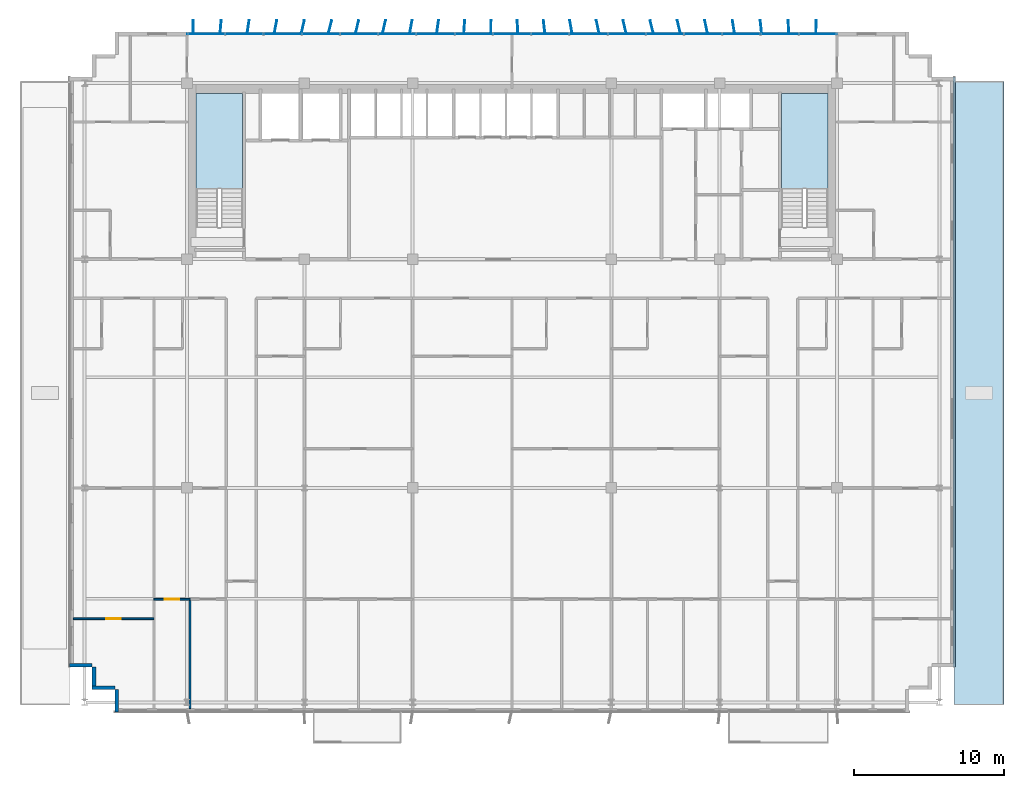
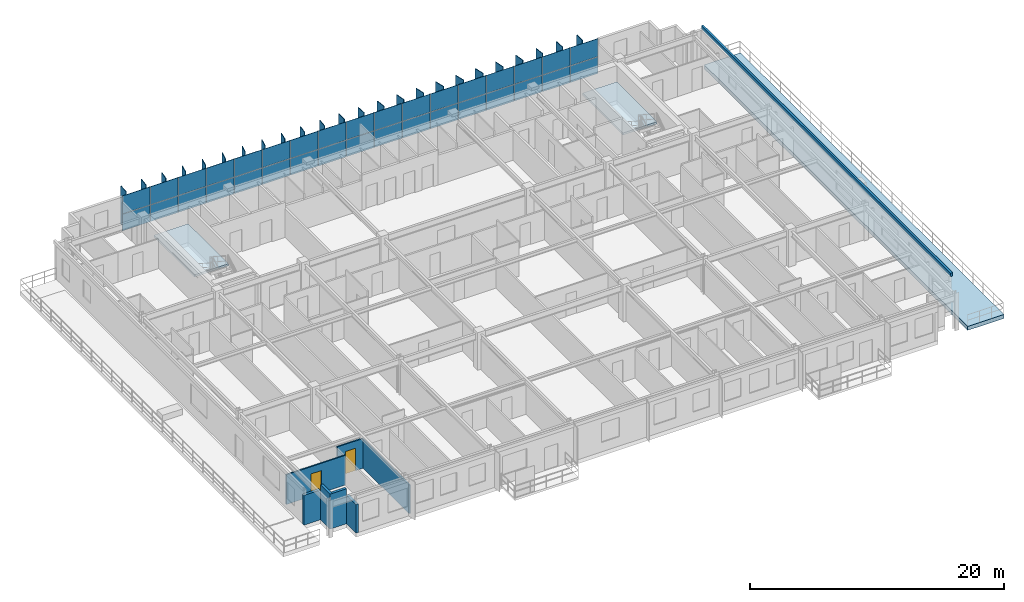
# One storey, part 13 of 22: 59 plates, 7 walls, 3 slabs, 2 doors, 2 openings, 3 elements without a shape of their own.
"""IFC4 building model written with IfcOpenShell, lengths in metres."""

from ifc_helpers import new_model, si_unit, direction, frame, frame_2d, origin, origin_2d, place, context, subcontext, project, spatial, polyline, rectangle, outline, extrude, source, transform, mapped, material, layer, layer_set, type_object, element, fill, aggregate, save


model = new_model("IFC4")

# Units and contexts
model_context = context("Model", 3, precision=1e-05, world=origin(), true_north=direction((0.0, 1.0)))
body_context = subcontext(model_context, "Body", "Model", "MODEL_VIEW")
ifc_project = project(units=[si_unit("LENGTHUNIT", "METRE"), si_unit("AREAUNIT", "SQUARE_METRE"), si_unit("VOLUMEUNIT", "CUBIC_METRE"), si_unit("PLANEANGLEUNIT", "RADIAN"), si_unit("MASSUNIT", "GRAM", prefix="KILO")], contexts=[model_context])

# Site, building, storey
site_placement = place(None, origin())
site = spatial("IfcSite", under=ifc_project, at=site_placement, CompositionType="ELEMENT")
building_placement = place(site_placement, origin())
building = spatial("IfcBuilding", under=site, at=building_placement, Name="Trelvane Seafront Commons", CompositionType="ELEMENT")
storey_placement = place(building_placement, frame((0.0, 0.0, 132.10009765625)))
storey = spatial("IfcBuildingStorey", under=building, at=storey_placement, Name="L34", CompositionType="ELEMENT", Elevation=132.10009765625)

# Stair, slab
ifc_material_1 = material(Name="Concrete C40/50", Category="concrete")
stair_type_1 = type_object("IfcStairType", Name="ARCH-STR-ST-1-R20-180", PredefinedType="HALF_TURN_STAIR", material=ifc_material_1)
stair_1_placement = place(storey_placement, origin())
stair_1 = element("IfcStair", 1, at=stair_1_placement, inside=storey, type_object=stair_type_1, Name="L34 West Protected Firefighting Exit Stair ST-1", PredefinedType="HALF_TURN_STAIR")
ifc_layer_1 = layer(ifc_material_1, 0.199951171875, Name="ARCH-LND-200")
ifc_layer_set_1 = layer_set([ifc_layer_1], Name="Concrete C40/50")
slab_type_1 = type_object("IfcSlabType", Name="ARCH-LND-200", PredefinedType="LANDING", material=ifc_layer_set_1)
slab_1_placement = place(storey_placement, frame((0.0, 0.0, 1.599853515625)))
slab_1 = element("IfcSlab", 2, at=slab_1_placement, type_object=slab_type_1, Name="ST-1 landing 1", PredefinedType="LANDING", context=body_context, shape_type="SweptSolid", body=[
    extrude(outline(polyline([(19.300048828125, 38.070068359375), (19.300048828125, 44.39990234375), (16.199951171875, 44.39990234375), (16.199951171875, 38.070068359375), (19.300048828125, 38.070068359375)])), origin(), (0.0, 0.0, 1.0), 0.199951171875),
])
aggregate(stair_1, [slab_1])

stair_type_2 = type_object("IfcStairType", Name="ARCH-STR-ST-2-R20-180", PredefinedType="HALF_TURN_STAIR", material=ifc_material_1)
stair_2_placement = place(storey_placement, origin())
stair_2 = element("IfcStair", 3, at=stair_2_placement, inside=storey, type_object=stair_type_2, Name="L34 East Protected Firefighting Exit Stair ST-2", PredefinedType="HALF_TURN_STAIR")
slab_2_placement = place(storey_placement, frame((0.0, 0.0, 1.599853515625)))
slab_2 = element("IfcSlab", 4, at=slab_2_placement, type_object=slab_type_1, Name="ST-2 landing 1", PredefinedType="LANDING", context=body_context, shape_type="SweptSolid", body=[
    extrude(outline(polyline([(58.199951171875, 38.070068359375), (58.199951171875, 44.39990234375), (55.10009765625, 44.39990234375), (55.10009765625, 38.070068359375), (58.199951171875, 38.070068359375)])), origin(), (0.0, 0.0, 1.0), 0.199951171875),
])
aggregate(stair_2, [slab_2])

# Slab
ifc_material_2 = material(Name="Concrete C60/75", Category="concrete")
ifc_layer_2 = layer(ifc_material_2, 0.3798828125, Name="STR-SLB-T380")
ifc_layer_set_2 = layer_set([ifc_layer_2], Name="Concrete C60/75")
slab_type_2 = type_object("IfcSlabType", Name="STR-SLB-T380", PredefinedType="FLOOR", material=ifc_layer_set_2)
slab_3_placement = place(storey_placement, frame((0.0, 0.0, -0.380126953125)))
element("IfcSlab", 5, at=slab_3_placement, inside=storey, type_object=slab_type_2, Name="L34 Mid-Tower Setback Sky Terrace E", PredefinedType="FLOOR", context=body_context, shape_type="SweptSolid", body=[
    extrude(outline(polyline([(66.60009765625, 3.800048828125), (69.89990234375, 3.800048828125), (69.89990234375, 45.199951171875), (66.60009765625, 45.199951171875), (66.60009765625, 3.800048828125)])), origin(), (0.0, 0.0, 1.0), 0.380126953125),
])

# Plates
ifc_material_3 = material(Name="Anodised pale-silver aluminium", Category="aluminium")
ifc_layer_3 = layer(ifc_material_3, 0.06005859375, Name="ARCH-PLATE-FIN900")
ifc_layer_set_3 = layer_set([ifc_layer_3], Name="Anodised pale-silver aluminium")
plate_type_1 = type_object("IfcPlateType", Name="ARCH-PLATE-FIN900", PredefinedType="USERDEFINED", material=ifc_layer_set_3)
shared_shape_1 = source(origin(), body_context, "Body", "SweptSolid", [
    extrude(rectangle(XDim=0.89990234375, YDim=0.06005859375, at=origin_2d()), origin(), (0.0, 0.0, 1.0), 3.639892578125),
])
for number, where, z_axis, x_axis, name in (
    (6, (16.010498046875, 48.849853515625, -0.02001953125), (0.0, 0.0, 1.0), (0.023667945073, 0.999719874953, 0.0), "FIN-L34-00906"),
    (7, (17.839599609375, 48.848388671875, -0.02001953125), (0.0, 0.0, 1.0), (0.088221508252, 0.996100881177, 0.0), "FIN-L34-00907"),
    (8, (19.665771484375, 48.84521484375, -0.02001953125), (0.0, 0.0, 1.0), (0.145993244452, 0.989285586964, 0.0), "FIN-L34-00908"),
    (9, (21.48681640625, 48.841552734375, -0.02001953125), (0.0, 0.0, 1.0), (0.192674392615, 0.981262746888, 0.0), "FIN-L34-00909"),
    (10, (25.108154296875, 48.8369140625, -0.02001953125), (0.0, 0.0, 1.0), (0.240548236957, 0.970637185408, 0.0), "FIN-L34-00911"),
    (11, (26.907470703125, 48.8369140625, -0.02001953125), (0.0, 0.0, 1.0), (0.238663966502, 0.971102214545, 0.0), "FIN-L34-00912"),
    (12, (28.69873046875, 48.839111328125, -0.02001953125), (0.0, 0.0, 1.0), (0.219435851334, 0.975626930312, 0.0), "FIN-L34-00913"),
    (13, (30.48291015625, 48.84228515625, -0.02001953125), (0.0, 0.0, 1.0), (0.184006247792, 0.982925073835, 0.0), "FIN-L34-00914"),
    (14, (32.260498046875, 48.845947265625, -0.02001953125), (0.0, 0.0, 1.0), (0.134776566243, 0.990876015045, 0.0), "FIN-L34-00915"),
    (15, (34.03369140625, 48.8486328125, -0.02001953125), (0.0, 0.0, 1.0), (0.075107517013, 0.997175441378, 0.0), "FIN-L34-00916"),
    (16, (35.80419921875, 48.85009765625, -0.02001953125), (0.0, 0.0, 1.0), (0.009665482897, 0.999953288129, 0.0), "FIN-L34-00917"),
    (17, (37.57470703125, 48.849365234375, -0.02001953125), (0.0, 0.0, 1.0), (-0.05644186258, 0.998405887477, 0.0), "FIN-L34-00918"),
    (18, (39.3466796875, 48.846923828125, -0.02001953125), (0.0, 0.0, 1.0), (-0.118329446748, 0.992974391428, 0.0), "FIN-L34-00919"),
    (19, (42.9052734375, 48.83984375, -0.02001953125), (0.0, 0.0, 1.0), (-0.210667972464, 0.977557673684, 0.0), "FIN-L34-00921"),
    (20, (44.6943359375, 48.83740234375, -0.02001953125), (0.0, 0.0, 1.0), (-0.234894432244, 0.972020887482, 0.0), "FIN-L34-00922"),
    (21, (46.4912109375, 48.836669921875, -0.02001953125), (0.0, 0.0, 1.0), (-0.241777946669, 0.970331605434, 0.0), "FIN-L34-00923"),
    (22, (48.2958984375, 48.837890625, -0.02001953125), (0.0, 0.0, 1.0), (-0.231224943263, 0.97290031638, 0.0), "FIN-L34-00924"),
    (23, (50.1083984375, 48.840576171875, -0.02001953125), (0.0, 0.0, 1.0), (-0.203674217406, 0.97903871893, 0.0), "FIN-L34-00925"),
    (24, (51.927490234375, 48.843994140625, -0.02001953125), (0.0, 0.0, 1.0), (-0.160883819915, 0.986973351459, 0.0), "FIN-L34-00926"),
    (25, (53.752197265625, 48.847412109375, -0.02001953125), (0.0, 0.0, 1.0), (-0.106003750633, 0.994365729926, 0.0), "FIN-L34-00927"),
    (26, (55.580810546875, 48.849609375, -0.02001953125), (0.0, 0.0, 1.0), (-0.042887035116, 0.999079927843, 0.0), "FIN-L34-00928"),
    (27, (57.41064453125, 48.849853515625, -0.02001953125), (0.0, 0.0, 1.0), (0.023667945073, 0.999719874953, 0.0), "FIN-L34-00929"),
):
    element("IfcPlate", number, at=place(storey_placement, frame(where, z_axis=z_axis, x_axis=x_axis)), inside=storey, type_object=plate_type_1, Name=name, ObjectType="FIN", PredefinedType="USERDEFINED", context=body_context, shape_type="MappedRepresentation", body=[
        mapped(shared_shape_1, transform((0.0, 0.0, 0.0), x_axis=(1.0, 0.0, 0.0), y_axis=(0.0, 1.0, 0.0), z_axis=(0.0, 0.0, 1.0), scale=1.0)),
    ])
shared_shape_2 = source(origin(), body_context, "Body", "SweptSolid", [
    extrude(rectangle(XDim=0.900146484375, YDim=0.06005859375, at=origin_2d()), origin(), (0.0, 0.0, 1.0), 3.639892578125),
])
for number, where, z_axis, x_axis, name in (
    (28, (23.30126953125, 48.83837890625, -0.02001953125), (0.0, 0.0, 1.0), (0.224876227431, 0.974387336913, 0.0), "FIN-L34-00910"),
    (29, (41.123046875, 48.843505859375, -0.02001953125), (0.0, 0.0, 1.0), (-0.170990262649, 0.985272718631, 0.0), "FIN-L34-00920"),
):
    element("IfcPlate", number, at=place(storey_placement, frame(where, z_axis=z_axis, x_axis=x_axis)), inside=storey, type_object=plate_type_1, Name=name, ObjectType="FIN", PredefinedType="USERDEFINED", context=body_context, shape_type="MappedRepresentation", body=[
        mapped(shared_shape_2, transform((0.0, 0.0, 0.0), x_axis=(1.0, 0.0, 0.0), y_axis=(0.0, 1.0, 0.0), z_axis=(0.0, 0.0, 1.0), scale=1.0)),
    ])

# Curtain wall, plates
curtain_wall_type = type_object("IfcCurtainWallType", Name="ARCH-CW5-UPTOWER", PredefinedType="NOTDEFINED", material=ifc_material_3)
curtain_wall_placement = place(storey_placement, origin())
curtain_wall = element("IfcCurtainWall", 30, at=curtain_wall_placement, inside=storey, type_object=curtain_wall_type, Name="CW-L34-0061", PredefinedType="NOTDEFINED")
ifc_material_4 = material(Name="Low-E coastal double glazing", Category="glass")
ifc_layer_4 = layer(ifc_material_4, 0.033935546875, Name="ARCH-CW-GLAZ-34")
ifc_layer_set_4 = layer_set([ifc_layer_4], Name="Low-E coastal double glazing")
plate_type_2 = type_object("IfcPlateType", Name="ARCH-CW-GLAZ-34", PredefinedType="CURTAIN_PANEL", material=ifc_layer_set_4)
shared_shape_3 = source(origin(), body_context, "Body", "SweptSolid", [
    extrude(rectangle(XDim=2.51708984375, YDim=0.033935546875, at=origin_2d()), origin(), (0.0, 0.0, 1.0), 1.590087890625),
])
plate_1_placement = place(storey_placement, frame((16.87060546875, 48.3701171875, 0.0), z_axis=(0.0, 0.0, 1.0), x_axis=(1.0, 0.0, 0.0)))
plate_1 = element("IfcPlate", 31, at=plate_1_placement, type_object=plate_type_2, Name="CW-L34-0061-P00-1", PredefinedType="CURTAIN_PANEL", context=body_context, shape_type="MappedRepresentation", body=[
    mapped(shared_shape_3, transform((0.0, 0.0, 0.0), x_axis=(1.0, 0.0, 0.0), y_axis=(0.0, 1.0, 0.0), z_axis=(0.0, 0.0, 1.0), scale=1.0)),
])
plate_2_placement = place(storey_placement, frame((19.411865234375, 48.3701171875, 0.0), z_axis=(0.0, 0.0, 1.0), x_axis=(1.0, 0.0, 0.0)))
plate_2 = element("IfcPlate", 32, at=plate_2_placement, type_object=plate_type_2, Name="CW-L34-0061-P01-1", PredefinedType="CURTAIN_PANEL", context=body_context, shape_type="MappedRepresentation", body=[
    mapped(shared_shape_3, transform((0.0, 0.0, 0.0), x_axis=(1.0, 0.0, 0.0), y_axis=(0.0, 1.0, 0.0), z_axis=(0.0, 0.0, 1.0), scale=1.0)),
])
plate_3_placement = place(storey_placement, frame((21.952880859375, 48.3701171875, 0.0), z_axis=(0.0, 0.0, 1.0), x_axis=(1.0, 0.0, 0.0)))
plate_3 = element("IfcPlate", 33, at=plate_3_placement, type_object=plate_type_2, Name="CW-L34-0061-P02-1", PredefinedType="CURTAIN_PANEL", context=body_context, shape_type="MappedRepresentation", body=[
    mapped(shared_shape_3, transform((0.0, 0.0, 0.0), x_axis=(1.0, 0.0, 0.0), y_axis=(0.0, 1.0, 0.0), z_axis=(0.0, 0.0, 1.0), scale=1.0)),
])
plate_4_placement = place(storey_placement, frame((24.494140625, 48.3701171875, 0.0), z_axis=(0.0, 0.0, 1.0), x_axis=(1.0, 0.0, 0.0)))
plate_4 = element("IfcPlate", 34, at=plate_4_placement, type_object=plate_type_2, Name="CW-L34-0061-P03-1", PredefinedType="CURTAIN_PANEL", context=body_context, shape_type="MappedRepresentation", body=[
    mapped(shared_shape_3, transform((0.0, 0.0, 0.0), x_axis=(1.0, 0.0, 0.0), y_axis=(0.0, 1.0, 0.0), z_axis=(0.0, 0.0, 1.0), scale=1.0)),
])
plate_5_placement = place(storey_placement, frame((27.035400390625, 48.3701171875, 0.0), z_axis=(0.0, 0.0, 1.0), x_axis=(1.0, 0.0, 0.0)))
plate_5 = element("IfcPlate", 35, at=plate_5_placement, type_object=plate_type_2, Name="CW-L34-0061-P04-1", PredefinedType="CURTAIN_PANEL", context=body_context, shape_type="MappedRepresentation", body=[
    mapped(shared_shape_3, transform((0.0, 0.0, 0.0), x_axis=(1.0, 0.0, 0.0), y_axis=(0.0, 1.0, 0.0), z_axis=(0.0, 0.0, 1.0), scale=1.0)),
])
plate_6_placement = place(storey_placement, frame((29.576416015625, 48.3701171875, 0.0), z_axis=(0.0, 0.0, 1.0), x_axis=(1.0, 0.0, 0.0)))
plate_6 = element("IfcPlate", 36, at=plate_6_placement, type_object=plate_type_2, Name="CW-L34-0061-P05-1", PredefinedType="CURTAIN_PANEL", context=body_context, shape_type="MappedRepresentation", body=[
    mapped(shared_shape_3, transform((0.0, 0.0, 0.0), x_axis=(1.0, 0.0, 0.0), y_axis=(0.0, 1.0, 0.0), z_axis=(0.0, 0.0, 1.0), scale=1.0)),
])
plate_7_placement = place(storey_placement, frame((32.11767578125, 48.3701171875, 0.0), z_axis=(0.0, 0.0, 1.0), x_axis=(1.0, 0.0, 0.0)))
plate_7 = element("IfcPlate", 37, at=plate_7_placement, type_object=plate_type_2, Name="CW-L34-0061-P06-1", PredefinedType="CURTAIN_PANEL", context=body_context, shape_type="MappedRepresentation", body=[
    mapped(shared_shape_3, transform((0.0, 0.0, 0.0), x_axis=(1.0, 0.0, 0.0), y_axis=(0.0, 1.0, 0.0), z_axis=(0.0, 0.0, 1.0), scale=1.0)),
])
plate_8_placement = place(storey_placement, frame((34.65869140625, 48.3701171875, 0.0), z_axis=(0.0, 0.0, 1.0), x_axis=(1.0, 0.0, 0.0)))
plate_8 = element("IfcPlate", 38, at=plate_8_placement, type_object=plate_type_2, Name="CW-L34-0061-P07-1", PredefinedType="CURTAIN_PANEL", context=body_context, shape_type="MappedRepresentation", body=[
    mapped(shared_shape_3, transform((0.0, 0.0, 0.0), x_axis=(1.0, 0.0, 0.0), y_axis=(0.0, 1.0, 0.0), z_axis=(0.0, 0.0, 1.0), scale=1.0)),
])
plate_9_placement = place(storey_placement, frame((37.199951171875, 48.3701171875, 0.0), z_axis=(0.0, 0.0, 1.0), x_axis=(1.0, 0.0, 0.0)))
plate_9 = element("IfcPlate", 39, at=plate_9_placement, type_object=plate_type_2, Name="CW-L34-0061-P08-1", PredefinedType="CURTAIN_PANEL", context=body_context, shape_type="MappedRepresentation", body=[
    mapped(shared_shape_3, transform((0.0, 0.0, 0.0), x_axis=(1.0, 0.0, 0.0), y_axis=(0.0, 1.0, 0.0), z_axis=(0.0, 0.0, 1.0), scale=1.0)),
])
plate_10_placement = place(storey_placement, frame((39.7412109375, 48.3701171875, 0.0), z_axis=(0.0, 0.0, 1.0), x_axis=(1.0, 0.0, 0.0)))
plate_10 = element("IfcPlate", 40, at=plate_10_placement, type_object=plate_type_2, Name="CW-L34-0061-P09-1", PredefinedType="CURTAIN_PANEL", context=body_context, shape_type="MappedRepresentation", body=[
    mapped(shared_shape_3, transform((0.0, 0.0, 0.0), x_axis=(1.0, 0.0, 0.0), y_axis=(0.0, 1.0, 0.0), z_axis=(0.0, 0.0, 1.0), scale=1.0)),
])
plate_11_placement = place(storey_placement, frame((42.282470703125, 48.3701171875, 0.0), z_axis=(0.0, 0.0, 1.0), x_axis=(1.0, 0.0, 0.0)))
plate_11 = element("IfcPlate", 41, at=plate_11_placement, type_object=plate_type_2, Name="CW-L34-0061-P10-1", PredefinedType="CURTAIN_PANEL", context=body_context, shape_type="MappedRepresentation", body=[
    mapped(shared_shape_3, transform((0.0, 0.0, 0.0), x_axis=(1.0, 0.0, 0.0), y_axis=(0.0, 1.0, 0.0), z_axis=(0.0, 0.0, 1.0), scale=1.0)),
])
plate_12_placement = place(storey_placement, frame((44.823486328125, 48.3701171875, 0.0), z_axis=(0.0, 0.0, 1.0), x_axis=(1.0, 0.0, 0.0)))
plate_12 = element("IfcPlate", 42, at=plate_12_placement, type_object=plate_type_2, Name="CW-L34-0061-P11-1", PredefinedType="CURTAIN_PANEL", context=body_context, shape_type="MappedRepresentation", body=[
    mapped(shared_shape_3, transform((0.0, 0.0, 0.0), x_axis=(1.0, 0.0, 0.0), y_axis=(0.0, 1.0, 0.0), z_axis=(0.0, 0.0, 1.0), scale=1.0)),
])
plate_13_placement = place(storey_placement, frame((47.36474609375, 48.3701171875, 0.0), z_axis=(0.0, 0.0, 1.0), x_axis=(1.0, 0.0, 0.0)))
plate_13 = element("IfcPlate", 43, at=plate_13_placement, type_object=plate_type_2, Name="CW-L34-0061-P12-1", PredefinedType="CURTAIN_PANEL", context=body_context, shape_type="MappedRepresentation", body=[
    mapped(shared_shape_3, transform((0.0, 0.0, 0.0), x_axis=(1.0, 0.0, 0.0), y_axis=(0.0, 1.0, 0.0), z_axis=(0.0, 0.0, 1.0), scale=1.0)),
])
plate_14_placement = place(storey_placement, frame((49.906005859375, 48.3701171875, 0.0), z_axis=(0.0, 0.0, 1.0), x_axis=(1.0, 0.0, 0.0)))
plate_14 = element("IfcPlate", 44, at=plate_14_placement, type_object=plate_type_2, Name="CW-L34-0061-P13-1", PredefinedType="CURTAIN_PANEL", context=body_context, shape_type="MappedRepresentation", body=[
    mapped(shared_shape_3, transform((0.0, 0.0, 0.0), x_axis=(1.0, 0.0, 0.0), y_axis=(0.0, 1.0, 0.0), z_axis=(0.0, 0.0, 1.0), scale=1.0)),
])
plate_15_placement = place(storey_placement, frame((52.447021484375, 48.3701171875, 0.0), z_axis=(0.0, 0.0, 1.0), x_axis=(1.0, 0.0, 0.0)))
plate_15 = element("IfcPlate", 45, at=plate_15_placement, type_object=plate_type_2, Name="CW-L34-0061-P14-1", PredefinedType="CURTAIN_PANEL", context=body_context, shape_type="MappedRepresentation", body=[
    mapped(shared_shape_3, transform((0.0, 0.0, 0.0), x_axis=(1.0, 0.0, 0.0), y_axis=(0.0, 1.0, 0.0), z_axis=(0.0, 0.0, 1.0), scale=1.0)),
])
plate_16_placement = place(storey_placement, frame((54.98828125, 48.3701171875, 0.0), z_axis=(0.0, 0.0, 1.0), x_axis=(1.0, 0.0, 0.0)))
plate_16 = element("IfcPlate", 46, at=plate_16_placement, type_object=plate_type_2, Name="CW-L34-0061-P15-1", PredefinedType="CURTAIN_PANEL", context=body_context, shape_type="MappedRepresentation", body=[
    mapped(shared_shape_3, transform((0.0, 0.0, 0.0), x_axis=(1.0, 0.0, 0.0), y_axis=(0.0, 1.0, 0.0), z_axis=(0.0, 0.0, 1.0), scale=1.0)),
])
plate_17_placement = place(storey_placement, frame((57.529296875, 48.3701171875, 0.0), z_axis=(0.0, 0.0, 1.0), x_axis=(1.0, 0.0, 0.0)))
plate_17 = element("IfcPlate", 47, at=plate_17_placement, type_object=plate_type_2, Name="CW-L34-0061-P16-1", PredefinedType="CURTAIN_PANEL", context=body_context, shape_type="MappedRepresentation", body=[
    mapped(shared_shape_3, transform((0.0, 0.0, 0.0), x_axis=(1.0, 0.0, 0.0), y_axis=(0.0, 1.0, 0.0), z_axis=(0.0, 0.0, 1.0), scale=1.0)),
])
shared_shape_4 = source(origin(), body_context, "Body", "SweptSolid", [
    extrude(rectangle(XDim=2.51708984375, YDim=0.033935546875, at=origin_2d()), origin(), (0.0, 0.0, 1.0), 1.72412109375),
])
plate_18_placement = place(storey_placement, frame((16.87060546875, 48.3701171875, 1.625732421875), z_axis=(0.0, 0.0, 1.0), x_axis=(1.0, 0.0, 0.0)))
plate_18 = element("IfcPlate", 48, at=plate_18_placement, type_object=plate_type_2, Name="CW-L34-0061-P00-2", PredefinedType="CURTAIN_PANEL", context=body_context, shape_type="MappedRepresentation", body=[
    mapped(shared_shape_4, transform((0.0, 0.0, 0.0), x_axis=(1.0, 0.0, 0.0), y_axis=(0.0, 1.0, 0.0), z_axis=(0.0, 0.0, 1.0), scale=1.0)),
])
plate_19_placement = place(storey_placement, frame((19.411865234375, 48.3701171875, 1.625732421875), z_axis=(0.0, 0.0, 1.0), x_axis=(1.0, 0.0, 0.0)))
plate_19 = element("IfcPlate", 49, at=plate_19_placement, type_object=plate_type_2, Name="CW-L34-0061-P01-2", PredefinedType="CURTAIN_PANEL", context=body_context, shape_type="MappedRepresentation", body=[
    mapped(shared_shape_4, transform((0.0, 0.0, 0.0), x_axis=(1.0, 0.0, 0.0), y_axis=(0.0, 1.0, 0.0), z_axis=(0.0, 0.0, 1.0), scale=1.0)),
])
plate_20_placement = place(storey_placement, frame((21.952880859375, 48.3701171875, 1.625732421875), z_axis=(0.0, 0.0, 1.0), x_axis=(1.0, 0.0, 0.0)))
plate_20 = element("IfcPlate", 50, at=plate_20_placement, type_object=plate_type_2, Name="CW-L34-0061-P02-2", PredefinedType="CURTAIN_PANEL", context=body_context, shape_type="MappedRepresentation", body=[
    mapped(shared_shape_4, transform((0.0, 0.0, 0.0), x_axis=(1.0, 0.0, 0.0), y_axis=(0.0, 1.0, 0.0), z_axis=(0.0, 0.0, 1.0), scale=1.0)),
])
plate_21_placement = place(storey_placement, frame((24.494140625, 48.3701171875, 1.625732421875), z_axis=(0.0, 0.0, 1.0), x_axis=(1.0, 0.0, 0.0)))
plate_21 = element("IfcPlate", 51, at=plate_21_placement, type_object=plate_type_2, Name="CW-L34-0061-P03-2", PredefinedType="CURTAIN_PANEL", context=body_context, shape_type="MappedRepresentation", body=[
    mapped(shared_shape_4, transform((0.0, 0.0, 0.0), x_axis=(1.0, 0.0, 0.0), y_axis=(0.0, 1.0, 0.0), z_axis=(0.0, 0.0, 1.0), scale=1.0)),
])
plate_22_placement = place(storey_placement, frame((27.035400390625, 48.3701171875, 1.625732421875), z_axis=(0.0, 0.0, 1.0), x_axis=(1.0, 0.0, 0.0)))
plate_22 = element("IfcPlate", 52, at=plate_22_placement, type_object=plate_type_2, Name="CW-L34-0061-P04-2", PredefinedType="CURTAIN_PANEL", context=body_context, shape_type="MappedRepresentation", body=[
    mapped(shared_shape_4, transform((0.0, 0.0, 0.0), x_axis=(1.0, 0.0, 0.0), y_axis=(0.0, 1.0, 0.0), z_axis=(0.0, 0.0, 1.0), scale=1.0)),
])
plate_23_placement = place(storey_placement, frame((29.576416015625, 48.3701171875, 1.625732421875), z_axis=(0.0, 0.0, 1.0), x_axis=(1.0, 0.0, 0.0)))
plate_23 = element("IfcPlate", 53, at=plate_23_placement, type_object=plate_type_2, Name="CW-L34-0061-P05-2", PredefinedType="CURTAIN_PANEL", context=body_context, shape_type="MappedRepresentation", body=[
    mapped(shared_shape_4, transform((0.0, 0.0, 0.0), x_axis=(1.0, 0.0, 0.0), y_axis=(0.0, 1.0, 0.0), z_axis=(0.0, 0.0, 1.0), scale=1.0)),
])
plate_24_placement = place(storey_placement, frame((32.11767578125, 48.3701171875, 1.625732421875), z_axis=(0.0, 0.0, 1.0), x_axis=(1.0, 0.0, 0.0)))
plate_24 = element("IfcPlate", 54, at=plate_24_placement, type_object=plate_type_2, Name="CW-L34-0061-P06-2", PredefinedType="CURTAIN_PANEL", context=body_context, shape_type="MappedRepresentation", body=[
    mapped(shared_shape_4, transform((0.0, 0.0, 0.0), x_axis=(1.0, 0.0, 0.0), y_axis=(0.0, 1.0, 0.0), z_axis=(0.0, 0.0, 1.0), scale=1.0)),
])
plate_25_placement = place(storey_placement, frame((34.65869140625, 48.3701171875, 1.625732421875), z_axis=(0.0, 0.0, 1.0), x_axis=(1.0, 0.0, 0.0)))
plate_25 = element("IfcPlate", 55, at=plate_25_placement, type_object=plate_type_2, Name="CW-L34-0061-P07-2", PredefinedType="CURTAIN_PANEL", context=body_context, shape_type="MappedRepresentation", body=[
    mapped(shared_shape_4, transform((0.0, 0.0, 0.0), x_axis=(1.0, 0.0, 0.0), y_axis=(0.0, 1.0, 0.0), z_axis=(0.0, 0.0, 1.0), scale=1.0)),
])
plate_26_placement = place(storey_placement, frame((37.199951171875, 48.3701171875, 1.625732421875), z_axis=(0.0, 0.0, 1.0), x_axis=(1.0, 0.0, 0.0)))
plate_26 = element("IfcPlate", 56, at=plate_26_placement, type_object=plate_type_2, Name="CW-L34-0061-P08-2", PredefinedType="CURTAIN_PANEL", context=body_context, shape_type="MappedRepresentation", body=[
    mapped(shared_shape_4, transform((0.0, 0.0, 0.0), x_axis=(1.0, 0.0, 0.0), y_axis=(0.0, 1.0, 0.0), z_axis=(0.0, 0.0, 1.0), scale=1.0)),
])
plate_27_placement = place(storey_placement, frame((39.7412109375, 48.3701171875, 1.625732421875), z_axis=(0.0, 0.0, 1.0), x_axis=(1.0, 0.0, 0.0)))
plate_27 = element("IfcPlate", 57, at=plate_27_placement, type_object=plate_type_2, Name="CW-L34-0061-P09-2", PredefinedType="CURTAIN_PANEL", context=body_context, shape_type="MappedRepresentation", body=[
    mapped(shared_shape_4, transform((0.0, 0.0, 0.0), x_axis=(1.0, 0.0, 0.0), y_axis=(0.0, 1.0, 0.0), z_axis=(0.0, 0.0, 1.0), scale=1.0)),
])
plate_28_placement = place(storey_placement, frame((42.282470703125, 48.3701171875, 1.625732421875), z_axis=(0.0, 0.0, 1.0), x_axis=(1.0, 0.0, 0.0)))
plate_28 = element("IfcPlate", 58, at=plate_28_placement, type_object=plate_type_2, Name="CW-L34-0061-P10-2", PredefinedType="CURTAIN_PANEL", context=body_context, shape_type="MappedRepresentation", body=[
    mapped(shared_shape_4, transform((0.0, 0.0, 0.0), x_axis=(1.0, 0.0, 0.0), y_axis=(0.0, 1.0, 0.0), z_axis=(0.0, 0.0, 1.0), scale=1.0)),
])
plate_29_placement = place(storey_placement, frame((44.823486328125, 48.3701171875, 1.625732421875), z_axis=(0.0, 0.0, 1.0), x_axis=(1.0, 0.0, 0.0)))
plate_29 = element("IfcPlate", 59, at=plate_29_placement, type_object=plate_type_2, Name="CW-L34-0061-P11-2", PredefinedType="CURTAIN_PANEL", context=body_context, shape_type="MappedRepresentation", body=[
    mapped(shared_shape_4, transform((0.0, 0.0, 0.0), x_axis=(1.0, 0.0, 0.0), y_axis=(0.0, 1.0, 0.0), z_axis=(0.0, 0.0, 1.0), scale=1.0)),
])
plate_30_placement = place(storey_placement, frame((47.36474609375, 48.3701171875, 1.625732421875), z_axis=(0.0, 0.0, 1.0), x_axis=(1.0, 0.0, 0.0)))
plate_30 = element("IfcPlate", 60, at=plate_30_placement, type_object=plate_type_2, Name="CW-L34-0061-P12-2", PredefinedType="CURTAIN_PANEL", context=body_context, shape_type="MappedRepresentation", body=[
    mapped(shared_shape_4, transform((0.0, 0.0, 0.0), x_axis=(1.0, 0.0, 0.0), y_axis=(0.0, 1.0, 0.0), z_axis=(0.0, 0.0, 1.0), scale=1.0)),
])
plate_31_placement = place(storey_placement, frame((49.906005859375, 48.3701171875, 1.625732421875), z_axis=(0.0, 0.0, 1.0), x_axis=(1.0, 0.0, 0.0)))
plate_31 = element("IfcPlate", 61, at=plate_31_placement, type_object=plate_type_2, Name="CW-L34-0061-P13-2", PredefinedType="CURTAIN_PANEL", context=body_context, shape_type="MappedRepresentation", body=[
    mapped(shared_shape_4, transform((0.0, 0.0, 0.0), x_axis=(1.0, 0.0, 0.0), y_axis=(0.0, 1.0, 0.0), z_axis=(0.0, 0.0, 1.0), scale=1.0)),
])
plate_32_placement = place(storey_placement, frame((52.447021484375, 48.3701171875, 1.625732421875), z_axis=(0.0, 0.0, 1.0), x_axis=(1.0, 0.0, 0.0)))
plate_32 = element("IfcPlate", 62, at=plate_32_placement, type_object=plate_type_2, Name="CW-L34-0061-P14-2", PredefinedType="CURTAIN_PANEL", context=body_context, shape_type="MappedRepresentation", body=[
    mapped(shared_shape_4, transform((0.0, 0.0, 0.0), x_axis=(1.0, 0.0, 0.0), y_axis=(0.0, 1.0, 0.0), z_axis=(0.0, 0.0, 1.0), scale=1.0)),
])
plate_33_placement = place(storey_placement, frame((54.98828125, 48.3701171875, 1.625732421875), z_axis=(0.0, 0.0, 1.0), x_axis=(1.0, 0.0, 0.0)))
plate_33 = element("IfcPlate", 63, at=plate_33_placement, type_object=plate_type_2, Name="CW-L34-0061-P15-2", PredefinedType="CURTAIN_PANEL", context=body_context, shape_type="MappedRepresentation", body=[
    mapped(shared_shape_4, transform((0.0, 0.0, 0.0), x_axis=(1.0, 0.0, 0.0), y_axis=(0.0, 1.0, 0.0), z_axis=(0.0, 0.0, 1.0), scale=1.0)),
])
plate_34_placement = place(storey_placement, frame((57.529296875, 48.3701171875, 1.625732421875), z_axis=(0.0, 0.0, 1.0), x_axis=(1.0, 0.0, 0.0)))
plate_34 = element("IfcPlate", 64, at=plate_34_placement, type_object=plate_type_2, Name="CW-L34-0061-P16-2", PredefinedType="CURTAIN_PANEL", context=body_context, shape_type="MappedRepresentation", body=[
    mapped(shared_shape_4, transform((0.0, 0.0, 0.0), x_axis=(1.0, 0.0, 0.0), y_axis=(0.0, 1.0, 0.0), z_axis=(0.0, 0.0, 1.0), scale=1.0)),
])
aggregate(curtain_wall, [plate_1, plate_18, plate_2, plate_19, plate_3, plate_20, plate_4, plate_21, plate_5, plate_22, plate_6, plate_23, plate_7, plate_24, plate_8, plate_25, plate_9, plate_26, plate_10, plate_27, plate_11, plate_28, plate_12, plate_29, plate_13, plate_30, plate_14, plate_31, plate_15, plate_32, plate_16, plate_33, plate_17, plate_34])

# Plate
ifc_layer_5 = layer(ifc_material_3, 0.179931640625, Name="ARCH-PLATE-AERO")
ifc_layer_set_5 = layer_set([ifc_layer_5], Name="Anodised pale-silver aluminium")
plate_type_3 = type_object("IfcPlateType", Name="ARCH-PLATE-AERO", PredefinedType="SHEET", material=ifc_layer_set_5)
shared_shape_5 = source(origin(), body_context, "Body", "SweptSolid", [
    extrude(rectangle(XDim=39.199951171875, YDim=0.179931640625, at=origin_2d()), origin(), (0.0, 0.0, 1.0), 0.330078125),
])
plate_35_placement = place(storey_placement, frame((66.60009765625, 25.89990234375, 3.289794921875), z_axis=(0.0, 0.0, 1.0), x_axis=(0.0, -1.0, 0.0)))
element("IfcPlate", 65, at=plate_35_placement, inside=storey, type_object=plate_type_3, Name="AER-L34-00124", PredefinedType="SHEET", context=body_context, shape_type="MappedRepresentation", body=[
    mapped(shared_shape_5, transform((0.0, 0.0, 0.0), x_axis=(1.0, 0.0, 0.0), y_axis=(0.0, 1.0, 0.0), z_axis=(0.0, 0.0, 1.0), scale=1.0)),
])

# Walls
ifc_material_5 = material(Name="Precast concrete C40/50", Category="concrete")
ifc_layer_6 = layer(ifc_material_5, 0.239990234375, Name="ARCH-WALL-EXT240")
ifc_layer_set_6 = layer_set([ifc_layer_6], Name="Precast concrete C40/50")
wall_type_1 = type_object("IfcWallType", Name="ARCH-WALL-EXT240", PredefinedType="SOLIDWALL", material=ifc_layer_set_6)
for number, where, z_axis, x_axis, name in (
    (66, (10.800048828125, 4.919921875, 0.0), (0.0, 0.0, 1.0), (-1.0, 0.0, 0.0), "EW-L34-00655"),
    (67, (9.419921875, 4.800048828125, 0.0), (0.0, 0.0, 1.0), (0.0, 1.0, 0.0), "EW-L34-00656"),
):
    element("IfcWall", number, at=place(storey_placement, frame(where, z_axis=z_axis, x_axis=x_axis)), inside=storey, type_object=wall_type_1, Name=name, PredefinedType="SOLIDWALL", context=body_context, shape_type="SweptSolid", body=[
        extrude(rectangle(XDim=1.5, YDim=0.239990234375, at=frame_2d((0.75, 0.0))), origin(), (0.0, 0.0, 1.0), 3.349853515625),
    ])
wall_1_placement = place(storey_placement, frame((9.300048828125, 6.419921875, 0.0), z_axis=(0.0, 0.0, 1.0), x_axis=(-1.0, 0.0, 0.0)))
element("IfcWall", 68, at=wall_1_placement, inside=storey, type_object=wall_type_1, Name="EW-L34-00657", PredefinedType="SOLIDWALL", context=body_context, shape_type="SweptSolid", body=[
    extrude(rectangle(XDim=1.5, YDim=0.239990234375, at=frame_2d((0.75, 0.0))), origin(), (0.0, 0.0, 1.0), 2.849853515625),
])
wall_2_placement = place(storey_placement, frame((10.919921875, 3.300048828125, 0.0), z_axis=(0.0, 0.0, 1.0), x_axis=(0.0, 1.0, 0.0)))
element("IfcWall", 69, at=wall_2_placement, inside=storey, type_object=wall_type_1, Name="EW-L34-00673", PredefinedType="SOLIDWALL", context=body_context, shape_type="SweptSolid", body=[
    extrude(rectangle(XDim=1.5, YDim=0.239990234375, at=frame_2d((0.75, 0.0))), origin(), (0.0, 0.0, 1.0), 2.75),
])

# Wall, opening, door
ifc_material_6 = material(Name="Gypsum Drywall Acoustic Partition")
ifc_layer_7 = layer(ifc_material_6, 0.1201171875, Name="ARCH-WALL-PART120")
ifc_layer_set_7 = layer_set([ifc_layer_7], Name="Gypsum Drywall Acoustic Partition")
wall_type_2 = type_object("IfcWallType", Name="ARCH-WALL-PART120", PredefinedType="PARTITIONING", material=ifc_layer_set_7)
wall_3_placement = place(storey_placement, frame((8.0400390625, 9.5, 0.0), z_axis=(0.0, 0.0, 1.0), x_axis=(1.0, 0.0, 0.0)))
wall_3 = element("IfcWall", 70, at=wall_3_placement, inside=storey, type_object=wall_type_2, Name="W-L34-U1-YM-1-064", PredefinedType="PARTITIONING", context=body_context, shape_type="SweptSolid", body=[
    extrude(rectangle(XDim=5.35986328125, YDim=0.1201171875, at=frame_2d((2.679931640625, 0.0))), origin(), (0.0, 0.0, 1.0), 2.849853515625),
])
opening_1_placement = place(wall_3_placement, frame((2.205078125, 0.0, 0.0)))
opening_1 = element("IfcOpeningElement", 71, at=opening_1_placement, cuts=wall_3, Name="Opening D-L34-32", PredefinedType="OPENING", context=body_context, shape_type="SweptSolid", body=[
    extrude(rectangle(XDim=0.949951171875, YDim=2.14990234375, at=frame_2d((0.47509765625, 1.074951171875))), frame((0.0, 0.070068359375, 0.0), z_axis=(0.0, -1.0, 0.0), x_axis=(1.0, 0.0, 0.0)), (0.0, 0.0, 1.0), 0.14013671875),
])
ifc_material_7 = material(Name="Acoustic timber door leaf", Category="wood")
door_type = type_object("IfcDoorType", Name="ARCH-DR-INT950", OperationType="NOTDEFINED", PredefinedType="DOOR", material=ifc_material_7)
shared_shape_6 = source(origin(), body_context, "Body", "SweptSolid", [
    extrude(rectangle(XDim=0.949951171875, YDim=2.14990234375, at=frame_2d((0.47509765625, 1.074951171875))), frame((0.0, 0.02490234375, 0.0), z_axis=(0.0, -1.0, 0.0), x_axis=(1.0, 0.0, 0.0)), (0.0, 0.0, 1.0), 0.050048828125),
])
door_1_placement = place(opening_1_placement, origin())
door_1 = element("IfcDoor", 72, at=door_1_placement, inside=storey, type_object=door_type, Name="L34 Door 32", OperationType="SINGLE_SWING_RIGHT", OverallHeight=2.14990234375, OverallWidth=0.949951171875, PredefinedType="DOOR", context=body_context, shape_type="MappedRepresentation", body=[
    mapped(shared_shape_6, transform((0.0, 0.0, 0.0), x_axis=(1.0, 0.0, 0.0), y_axis=(0.0, 1.0, 0.0), z_axis=(0.0, 0.0, 1.0), scale=1.0)),
])
fill(opening_1, door_1)

wall_4_placement = place(storey_placement, frame((13.39990234375, 10.800048828125, 0.0), z_axis=(0.0, 0.0, 1.0), x_axis=(1.0, 0.0, 0.0)))
wall_4 = element("IfcWall", 73, at=wall_4_placement, inside=storey, type_object=wall_type_2, Name="W-L34-U2-YM-1-069", PredefinedType="PARTITIONING", context=body_context, shape_type="SweptSolid", body=[
    extrude(rectangle(XDim=2.400146484375, YDim=0.1201171875, at=frame_2d((1.2001953125, 0.0))), origin(), (0.0, 0.0, 1.0), 2.849853515625),
])
opening_2_placement = place(wall_4_placement, frame((0.72509765625, 0.0, 0.0)))
opening_2 = element("IfcOpeningElement", 74, at=opening_2_placement, cuts=wall_4, Name="Opening D-L34-36", PredefinedType="OPENING", context=body_context, shape_type="SweptSolid", body=[
    extrude(rectangle(XDim=0.949951171875, YDim=2.14990234375, at=frame_2d((0.47509765625, 1.074951171875))), frame((0.0, 0.070068359375, 0.0), z_axis=(0.0, -1.0, 0.0), x_axis=(1.0, 0.0, 0.0)), (0.0, 0.0, 1.0), 0.14013671875),
])
door_2_placement = place(opening_2_placement, origin())
door_2 = element("IfcDoor", 75, at=door_2_placement, inside=storey, type_object=door_type, Name="L34 Door 36", OperationType="SINGLE_SWING_RIGHT", OverallHeight=2.14990234375, OverallWidth=0.949951171875, PredefinedType="DOOR", context=body_context, shape_type="MappedRepresentation", body=[
    mapped(shared_shape_6, transform((0.0, 0.0, 0.0), x_axis=(1.0, 0.0, 0.0), y_axis=(0.0, 1.0, 0.0), z_axis=(0.0, 0.0, 1.0), scale=1.0)),
])
fill(opening_2, door_2)

# Wall
wall_5_placement = place(storey_placement, frame((15.800048828125, 3.52490234375, 0.0), z_axis=(0.0, 0.0, 1.0), x_axis=(0.0, 1.0, 0.0)))
element("IfcWall", 76, at=wall_5_placement, inside=storey, type_object=wall_type_2, Name="W-L34-U2-BDV-1-071", PredefinedType="PARTITIONING", context=body_context, shape_type="SweptSolid", body=[
    extrude(rectangle(XDim=7.275146484375, YDim=0.1201171875, at=frame_2d((3.6376953125, 0.0))), origin(), (0.0, 0.0, 1.0), 2.75),
])

save(model, "model.ifc")
